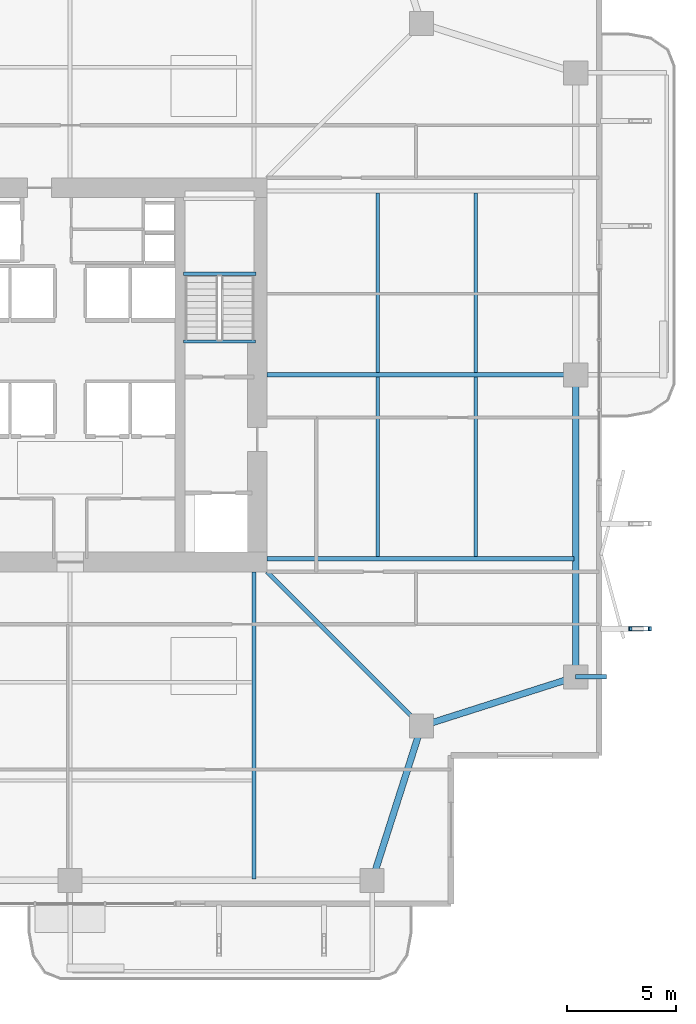
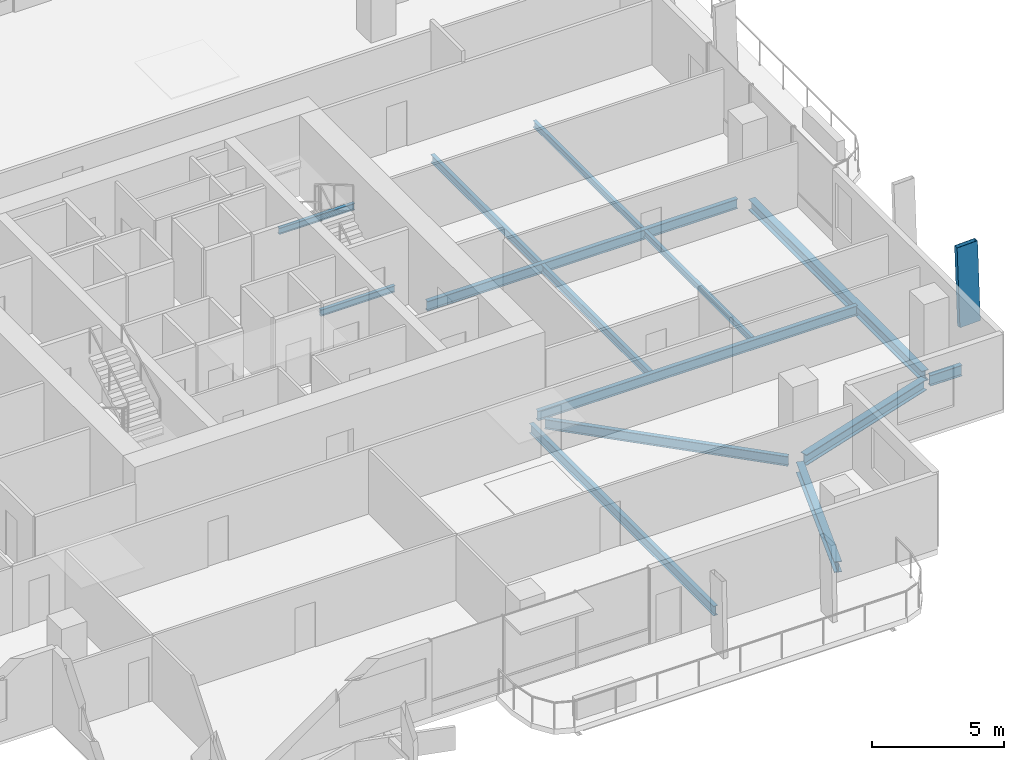
# One storey, part 9 of 25: 14 beams, 1 member.
"""IFC4 building model written with IfcOpenShell, lengths in metres."""

from ifc_helpers import new_model, si_unit, direction, frame, origin, origin_2d, place, context, subcontext, project, spatial, hollow_rectangle, i_section, extrude, material, material_profile, profile_set, type_object, element, save


model = new_model("IFC4")

# Units and contexts
model_context = context("Model", 3, precision=1e-05, world=origin(), true_north=direction((0.0, 1.0)))
body_context = subcontext(model_context, "Body", "Model", "MODEL_VIEW")
ifc_project = project(units=[si_unit("LENGTHUNIT", "METRE"), si_unit("AREAUNIT", "SQUARE_METRE"), si_unit("VOLUMEUNIT", "CUBIC_METRE"), si_unit("PLANEANGLEUNIT", "RADIAN"), si_unit("MASSUNIT", "GRAM", prefix="KILO")], contexts=[model_context])

# Site, building, storey
site_placement = place(None, origin())
site = spatial("IfcSite", under=ifc_project, at=site_placement, CompositionType="ELEMENT")
building_placement = place(site_placement, origin())
building = spatial("IfcBuilding", under=site, at=building_placement, Name="Belovzor Exchange Tower", CompositionType="ELEMENT")
storey_placement = place(building_placement, frame((0.0, 0.0, 142.050048828125)))
storey = spatial("IfcBuildingStorey", under=building, at=storey_placement, Name="L34", CompositionType="ELEMENT", Elevation=142.050048828125)

# Beams
ifc_material_1 = material(Name="Steel S355", Category="steel")
ifc_material_profile_1 = material_profile(ifc_material_1, i_section(OverallWidth=0.199951171875, OverallDepth=0.5, WebThickness=0.01025390625, FlangeThickness=0.01611328125, at=origin_2d()))
ifc_profile_set_1 = profile_set([ifc_material_profile_1], Name="Steel S355")
beam_type_1 = type_object("IfcBeamType", Name="Planted Balcony Cantilever Beam IPE 500", PredefinedType="BEAM", material=ifc_profile_set_1)
beam_1_placement = place(storey_placement, frame((51.89990234375, 15.0, -0.505126953125), z_axis=(1.0, 0.0, 0.0), x_axis=(0.0, 1.0, 0.0)))
element("IfcBeam", 1, at=beam_1_placement, inside=storey, type_object=beam_type_1, Name="BC-500 Planted Balcony Cantilever Beam IPE 500", PredefinedType="BEAM", context=body_context, shape_type="SweptSolid", body=[
    extrude(i_section(OverallWidth=0.199951171875, OverallDepth=0.5, WebThickness=0.01025390625, FlangeThickness=0.01611328125, at=origin_2d()), origin(), (0.0, 0.0, 1.0), 1.400146484375),
])
ifc_material_2 = material(Name="Steel S355", Category="steel")
ifc_material_profile_2 = material_profile(ifc_material_2, i_section(OverallWidth=0.169921875, OverallDepth=0.360107421875, WebThickness=0.008056640625, FlangeThickness=0.0126953125, at=origin_2d()))
ifc_profile_set_2 = profile_set([ifc_material_profile_2], Name="Steel S355")
beam_type_2 = type_object("IfcBeamType", Name="Secondary Infill Floor Joist IPE 360", PredefinedType="BEAM", material=ifc_profile_set_2)
for number, where, z_axis, x_axis, name in (
    (2, (42.84912109375, 20.4951171875, -0.43505859375), (0.0, 1.0, 0.0), (-1.0, 0.0, 0.0), "FJ-360 Secondary Infill Floor Joist IPE 360"),
    (3, (42.84912109375, 28.89501953125, -0.43505859375), (0.0, 1.0, 0.0), (-1.0, 0.0, 0.0), "FJ-360 Secondary Infill Floor Joist IPE 360"),
):
    element("IfcBeam", number, at=place(storey_placement, frame(where, z_axis=z_axis, x_axis=x_axis)), inside=storey, type_object=beam_type_2, Name=name, PredefinedType="BEAM", context=body_context, shape_type="SweptSolid", body=[
        extrude(i_section(OverallWidth=0.169921875, OverallDepth=0.360107421875, WebThickness=0.008056640625, FlangeThickness=0.0126953125, at=origin_2d()), origin(), (0.0, 0.0, 1.0), 8.2099609375),
    ])
ifc_material_3 = material(Name="Steel S355", Category="steel")
ifc_material_profile_3 = material_profile(ifc_material_3, i_section(OverallWidth=0.14990234375, OverallDepth=0.300048828125, WebThickness=0.007080078125, FlangeThickness=0.0107421875, at=origin_2d()))
ifc_profile_set_3 = profile_set([ifc_material_profile_3], Name="Steel S355")
beam_type_3 = type_object("IfcBeamType", Name="Secondary Trim Floor Joist IPE 300", PredefinedType="BEAM", material=ifc_profile_set_3)
beam_2_placement = place(storey_placement, frame((37.280029296875, 33.419921875, 1.52490234375), z_axis=(-1.0, 0.0, 0.0), x_axis=(0.0, -1.0, 0.0)))
element("IfcBeam", 4, at=beam_2_placement, inside=storey, type_object=beam_type_3, Name="FJ-300 Secondary Trim Floor Joist IPE 300", PredefinedType="BEAM", context=body_context, shape_type="SweptSolid", body=[
    extrude(i_section(OverallWidth=0.14990234375, OverallDepth=0.300048828125, WebThickness=0.007080078125, FlangeThickness=0.0107421875, at=origin_2d()), origin(), (0.0, 0.0, 1.0), 3.31005859375),
])
beam_3_placement = place(storey_placement, frame((37.260009765625, 30.320068359375, -0.405029296875), z_axis=(-1.0, 0.0, 0.0), x_axis=(0.0, -1.0, 0.0)))
element("IfcBeam", 5, at=beam_3_placement, inside=storey, type_object=beam_type_3, Name="FJ-300 Secondary Trim Floor Joist IPE 300", PredefinedType="BEAM", context=body_context, shape_type="SweptSolid", body=[
    extrude(i_section(OverallWidth=0.14990234375, OverallDepth=0.300048828125, WebThickness=0.007080078125, FlangeThickness=0.0107421875, at=origin_2d()), origin(), (0.0, 0.0, 1.0), 3.27001953125),
])
for number, where, z_axis, x_axis, name in (
    (6, (47.3369140625, 20.4951171875, -0.405029296875), (0.0, 1.0, 0.0), (-1.0, 0.0, 0.0), "FJ-300 Secondary Trim Floor Joist IPE 300"),
    (7, (47.3369140625, 28.89501953125, -0.405029296875), (0.0, 1.0, 0.0), (-1.0, 0.0, 0.0), "FJ-300 Secondary Trim Floor Joist IPE 300"),
):
    element("IfcBeam", number, at=place(storey_placement, frame(where, z_axis=z_axis, x_axis=x_axis)), inside=storey, type_object=beam_type_3, Name=name, PredefinedType="BEAM", context=body_context, shape_type="SweptSolid", body=[
        extrude(i_section(OverallWidth=0.14990234375, OverallDepth=0.300048828125, WebThickness=0.007080078125, FlangeThickness=0.0107421875, at=origin_2d()), origin(), (0.0, 0.0, 1.0), 8.2099609375),
    ])

# Member
ifc_material_4 = material(Name="Extruded Architectural Terracotta on Steel S355 Carrier", Category="masonry")
ifc_material_profile_4 = material_profile(ifc_material_4, hollow_rectangle(XDim=0.199951171875, YDim=0.89990234375, WallThickness=0.011962890625, at=origin_2d()))
ifc_profile_set_4 = profile_set([ifc_material_profile_4], Name="Extruded Architectural Terracotta on Steel S355 Carrier")
member_type = type_object("IfcMemberType", Name="Sweeping Terracotta Baguette Fin Assembly 1250", PredefinedType="USERDEFINED", material=ifc_profile_set_4)
member_placement = place(storey_placement, frame((54.906982421875, 17.199951171875, -0.255126953125), z_axis=(-0.033054843619, 0.0, 0.999453539347), x_axis=(0.0, -1.0, 0.0)))
element("IfcMember", 8, at=member_placement, inside=storey, type_object=member_type, Name="FIN-TC125 Terracotta Facade Fin L34 E1", ObjectType="FIN", PredefinedType="USERDEFINED", context=body_context, shape_type="SweptSolid", body=[
    extrude(hollow_rectangle(XDim=0.199951171875, YDim=0.89990234375, WallThickness=0.011962890625, at=origin_2d()), origin(), (0.0, 0.0, 1.0), 3.751953125),
])

# Beams
ifc_material_5 = material(Name="Steel S355", Category="steel")
ifc_material_profile_5 = material_profile(ifc_material_5, i_section(OverallWidth=0.18994140625, OverallDepth=0.449951171875, WebThickness=0.009521484375, FlangeThickness=0.0146484375, at=origin_2d()))
ifc_profile_set_5 = profile_set([ifc_material_profile_5], Name="Steel S355")
beam_type_4 = type_object("IfcBeamType", Name="Zone 2-4 Radial Composite Floor Beam IPE 450", PredefinedType="BEAM", material=ifc_profile_set_5)
beam_4_placement = place(storey_placement, frame((37.199951171875, 19.800048828125, -0.47998046875), z_axis=(0.0, -1.0, 0.0), x_axis=(1.0, 0.0, 0.0)))
element("IfcBeam", 9, at=beam_4_placement, inside=storey, type_object=beam_type_4, Name="FB-450 Zone 2-4 Radial Composite Floor Beam IPE 450", PredefinedType="BEAM", context=body_context, shape_type="SweptSolid", body=[
    extrude(i_section(OverallWidth=0.18994140625, OverallDepth=0.449951171875, WebThickness=0.009521484375, FlangeThickness=0.0146484375, at=origin_2d()), origin(), (0.0, 0.0, 1.0), 14.025146484375),
])
beam_5_placement = place(storey_placement, frame((37.800048828125, 20.39990234375, -0.47998046875), z_axis=(1.0, 0.0, 0.0), x_axis=(0.0, 1.0, 0.0)))
element("IfcBeam", 10, at=beam_5_placement, inside=storey, type_object=beam_type_4, Name="FB-450 Zone 2-4 Radial Composite Floor Beam IPE 450", PredefinedType="BEAM", context=body_context, shape_type="SweptSolid", body=[
    extrude(i_section(OverallWidth=0.18994140625, OverallDepth=0.449951171875, WebThickness=0.009521484375, FlangeThickness=0.0146484375, at=origin_2d()), origin(), (0.0, 0.0, 1.0), 14.02490234375),
])
beam_6_placement = place(storey_placement, frame((37.800048828125, 28.800048828125, -0.47998046875), z_axis=(1.0, 0.0, 0.0), x_axis=(0.0, 1.0, 0.0)))
element("IfcBeam", 11, at=beam_6_placement, inside=storey, type_object=beam_type_4, Name="FB-450 Zone 2-4 Radial Composite Floor Beam IPE 450", PredefinedType="BEAM", context=body_context, shape_type="SweptSolid", body=[
    extrude(i_section(OverallWidth=0.18994140625, OverallDepth=0.449951171875, WebThickness=0.009521484375, FlangeThickness=0.0146484375, at=origin_2d()), origin(), (0.0, 0.0, 1.0), 13.615966796875),
])
beam_7_placement = place(storey_placement, frame((37.800048828125, 19.800048828125, -0.47998046875), z_axis=(0.707094040639, -0.707119521505, 0.0), x_axis=(0.707119521505, 0.707094040639, 0.0)))
element("IfcBeam", 12, at=beam_7_placement, inside=storey, type_object=beam_type_4, Name="FB-450 Zone 2-4 Radial Composite Floor Beam IPE 450", PredefinedType="BEAM", context=body_context, shape_type="SweptSolid", body=[
    extrude(i_section(OverallWidth=0.18994140625, OverallDepth=0.449951171875, WebThickness=0.009521484375, FlangeThickness=0.0146484375, at=origin_2d()), origin(), (0.0, 0.0, 1.0), 9.581298828125),
])
ifc_material_6 = material(Name="Steel S355", Category="steel")
ifc_material_profile_6 = material_profile(ifc_material_6, i_section(OverallWidth=0.300048828125, OverallDepth=0.5, WebThickness=0.014404296875, FlangeThickness=0.028076171875, at=origin_2d()))
ifc_profile_set_6 = profile_set([ifc_material_profile_6], Name="Steel S355")
beam_type_5 = type_object("IfcBeamType", Name="Zone 3 Waist Primary Girder HEB 500", PredefinedType="BEAM", material=ifc_profile_set_6)
for number, where, z_axis, x_axis, name in (
    (13, (42.69189453125, 5.988037109375, -0.505126953125), (0.304044336164, 0.952657882792, 0.0), (-0.952657882792, 0.304044336164, 0.0), "FG-Z3 Zone 3 Waist Primary Girder HEB 500"),
    (14, (45.137939453125, 12.842041015625, -0.505126953125), (0.952671608699, 0.304001325621, 0.0), (-0.304001325621, 0.952671608699, 0.0), "FG-Z3 Zone 3 Waist Primary Girder HEB 500"),
):
    element("IfcBeam", number, at=place(storey_placement, frame(where, z_axis=z_axis, x_axis=x_axis)), inside=storey, type_object=beam_type_5, Name=name, PredefinedType="BEAM", context=body_context, shape_type="SweptSolid", body=[
        extrude(i_section(OverallWidth=0.300048828125, OverallDepth=0.5, WebThickness=0.014404296875, FlangeThickness=0.028076171875, at=origin_2d()), origin(), (0.0, 0.0, 1.0), 6.795654296875),
    ])
beam_8_placement = place(storey_placement, frame((51.89990234375, 15.302978515625, -0.505126953125), z_axis=(0.0, 1.0, 0.0), x_axis=(-1.0, 0.0, 0.0)))
element("IfcBeam", 15, at=beam_8_placement, inside=storey, type_object=beam_type_5, Name="FG-Z3 Zone 3 Waist Primary Girder HEB 500", PredefinedType="BEAM", context=body_context, shape_type="SweptSolid", body=[
    extrude(i_section(OverallWidth=0.300048828125, OverallDepth=0.5, WebThickness=0.014404296875, FlangeThickness=0.028076171875, at=origin_2d()), origin(), (0.0, 0.0, 1.0), 13.195068359375),
])

save(model, "model.ifc")
